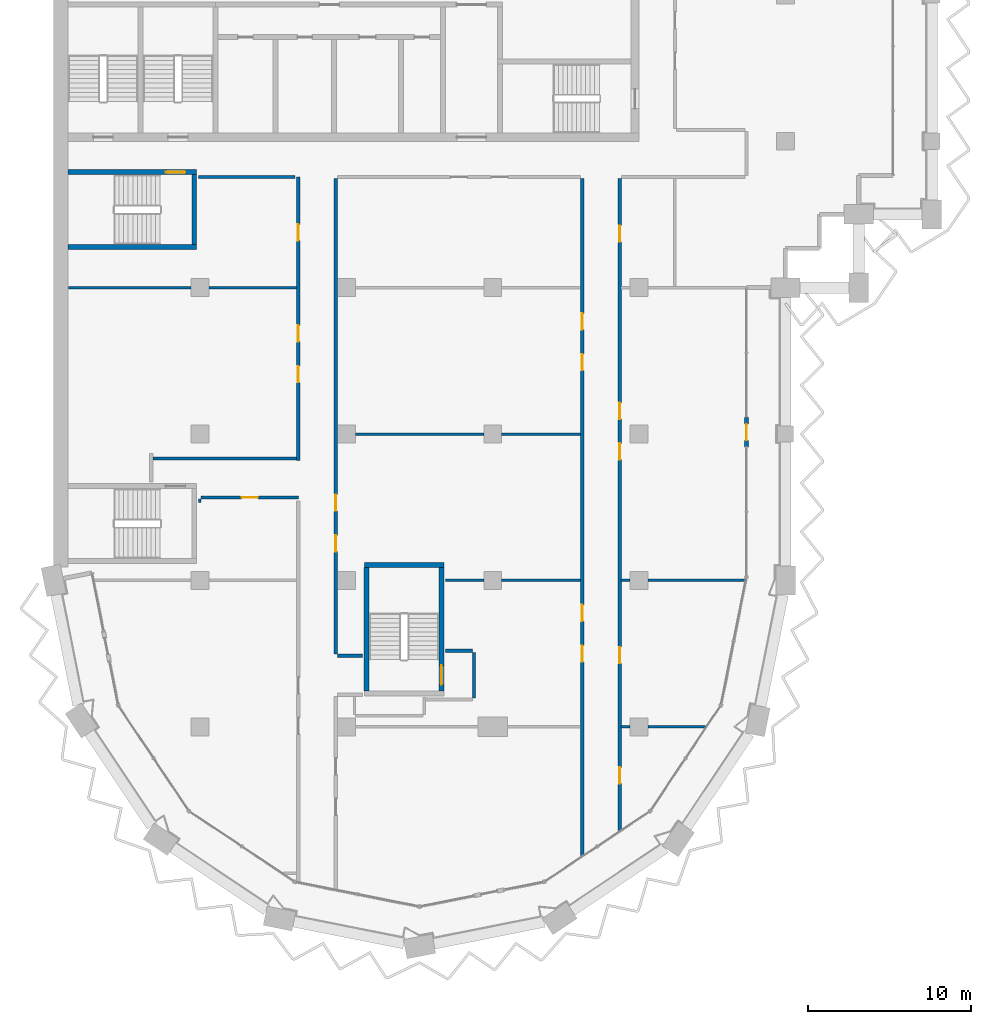
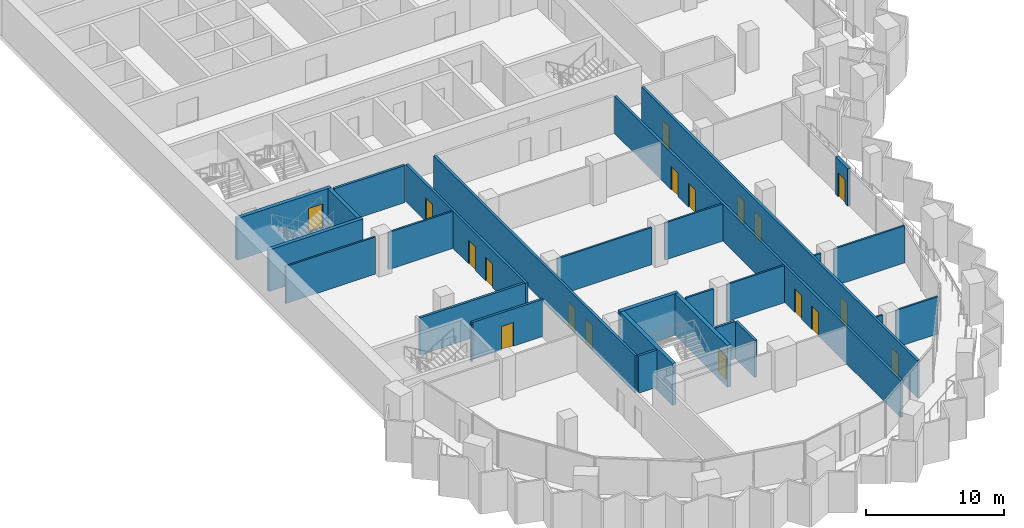
# One storey, part 8 of 17: 28 walls, 18 doors, 18 openings.
"""IFC4 building model written with IfcOpenShell, lengths in metres."""

from ifc_helpers import new_model, si_unit, direction, frame, frame_2d, origin, place, context, subcontext, project, spatial, rectangle, extrude, material, layer, layer_set, type_object, element, fill, save


model = new_model("IFC4")

# Units and contexts
model_context = context("Model", 3, precision=1e-05, world=origin(), true_north=direction((0.0, 1.0)))
body_context = subcontext(model_context, "Body", "Model", "MODEL_VIEW")
ifc_project = project(units=[si_unit("LENGTHUNIT", "METRE"), si_unit("AREAUNIT", "SQUARE_METRE"), si_unit("VOLUMEUNIT", "CUBIC_METRE"), si_unit("PLANEANGLEUNIT", "RADIAN"), si_unit("MASSUNIT", "GRAM", prefix="KILO")], contexts=[model_context])

# Site, building, storey
site_placement = place(None, origin())
site = spatial("IfcSite", under=ifc_project, at=site_placement, CompositionType="ELEMENT")
building_placement = place(site_placement, origin())
building = spatial("IfcBuilding", under=site, at=building_placement, Name="Hunhe Ridgeline Campus", CompositionType="ELEMENT")
storey_placement = place(building_placement, frame((0.0, 0.0, 186.5)))
storey = spatial("IfcBuildingStorey", under=building, at=storey_placement, Name="L47", CompositionType="ELEMENT", Elevation=186.5)

# Walls
ifc_material_1 = material(Name="Gypsum board partition")
ifc_layer_1 = layer(ifc_material_1, 0.199951171875)
ifc_layer_set_1 = layer_set([ifc_layer_1], Name="Corridor partition 200 gypsum board on steel studs")
wall_type_1 = type_object("IfcWallType", Name="Corridor partition 200 gypsum board on steel studs", PredefinedType="PARTITIONING", material=ifc_layer_set_1)
wall_1_placement = place(storey_placement, frame((17.449951171875, 31.375, 0.0), z_axis=(0.0, 0.0, 1.0), x_axis=(1.0, 0.0, 0.0)))
element("IfcWall", 1, at=wall_1_placement, inside=storey, type_object=wall_type_1, Name="F-L47-wall-009", PredefinedType="PARTITIONING", context=body_context, shape_type="SweptSolid", body=[
    extrude(rectangle(XDim=1.546142578125, YDim=0.199951171875, at=frame_2d((0.77294921875, 0.0))), origin(), (0.0, 0.0, 1.0), 3.300048828125),
])
wall_2_placement = place(storey_placement, frame((24.10400390625, 31.675048828125, 0.0), z_axis=(0.0, 0.0, 1.0), x_axis=(1.0, 0.0, 0.0)))
element("IfcWall", 2, at=wall_2_placement, inside=storey, type_object=wall_type_1, Name="F-L47-wall-010", PredefinedType="PARTITIONING", context=body_context, shape_type="SweptSolid", body=[
    extrude(rectangle(XDim=1.64599609375, YDim=0.199951171875, at=frame_2d((0.822998046875, 0.0))), origin(), (0.0, 0.0, 1.0), 3.300048828125),
])

# Wall, opening, door
wall_3_placement = place(storey_placement, frame((15.050048828125, 41.10009765625, 0.0), z_axis=(0.0, 0.0, 1.0), x_axis=(-1.0, 0.0, 0.0)))
wall_3 = element("IfcWall", 3, at=wall_3_placement, inside=storey, type_object=wall_type_1, Name="F-L47-wall-017", PredefinedType="PARTITIONING", context=body_context, shape_type="SweptSolid", body=[
    extrude(rectangle(XDim=5.97509765625, YDim=0.199951171875, at=frame_2d((2.987548828125, 0.0))), origin(), (0.0, 0.0, 1.0), 3.300048828125),
])
opening_1_placement = place(wall_3_placement, frame((2.487548828125, 0.0, 0.0)))
opening_1 = element("IfcOpeningElement", 4, at=opening_1_placement, cuts=wall_3, Name="Opening RD1-011", PredefinedType="OPENING", context=body_context, shape_type="SweptSolid", body=[
    extrude(rectangle(XDim=1.0, YDim=2.10009765625, at=frame_2d((0.5, 1.050048828125))), frame((0.0, 0.10009765625, 0.0), z_axis=(0.0, -1.0, 0.0), x_axis=(1.0, 0.0, 0.0)), (0.0, 0.0, 1.0), 0.199951171875),
])
ifc_material_2 = material(Name="Timber door leaf", Category="wood")
door_type_1 = type_object("IfcDoorType", Name="Single fire door 1000x2100 timber FD60", OperationType="NOTDEFINED", PredefinedType="DOOR", material=ifc_material_2)
door_1_placement = place(opening_1_placement, origin())
door_1 = element("IfcDoor", 5, at=door_1_placement, inside=storey, type_object=door_type_1, Name="F-L47-door-011", OperationType="SINGLE_SWING_LEFT", OverallHeight=2.10009765625, OverallWidth=1.0, PredefinedType="DOOR", context=body_context, shape_type="SweptSolid", body=[
    extrude(rectangle(XDim=1.0, YDim=2.10009765625, at=frame_2d((0.5, 1.050048828125))), frame((0.0, 0.02490234375, 0.0), z_axis=(0.0, -1.0, 0.0), x_axis=(1.0, 0.0, 0.0)), (0.0, 0.0, 1.0), 0.050048828125),
])
fill(opening_1, door_1)

# Walls
wall_4_placement = place(storey_placement, frame((6.10009765625, 43.5, 0.0), z_axis=(0.0, 0.0, 1.0), x_axis=(1.0, 0.0, 0.0)))
element("IfcWall", 6, at=wall_4_placement, inside=storey, type_object=wall_type_1, Name="F-L47-wall-018", PredefinedType="PARTITIONING", context=body_context, shape_type="SweptSolid", body=[
    extrude(rectangle(XDim=8.849853515625, YDim=0.199951171875, at=frame_2d((4.4248046875, 0.0))), origin(), (0.0, 0.0, 1.0), 3.300048828125),
])
wall_5_placement = place(storey_placement, frame((14.850341796875, 60.800048828125, 0.0), z_axis=(0.0, 0.0, 1.0), x_axis=(-1.0, 0.0, 0.0)))
element("IfcWall", 7, at=wall_5_placement, inside=storey, type_object=wall_type_1, Name="F-L47-wall-027", PredefinedType="PARTITIONING", context=body_context, shape_type="SweptSolid", body=[
    extrude(rectangle(XDim=5.9462890625, YDim=0.199951171875, at=frame_2d((2.97314453125, 0.0))), origin(), (0.0, 0.0, 1.0), 3.300048828125),
])

# Wall, openings, doors
wall_6_placement = place(storey_placement, frame((15.050048828125, 43.37451171875, 0.0), z_axis=(0.0, 0.0, 1.0), x_axis=(0.0, 1.0, 0.0)))
wall_6 = element("IfcWall", 8, at=wall_6_placement, inside=storey, type_object=wall_type_1, Name="F-L47-wall-038", PredefinedType="PARTITIONING", context=body_context, shape_type="SweptSolid", body=[
    extrude(rectangle(XDim=17.425537109375, YDim=0.199951171875, at=frame_2d((8.712890625, 0.0))), origin(), (0.0, 0.0, 1.0), 3.300048828125),
])
opening_2_placement = place(wall_6_placement, frame((4.803466796875, 0.0, 0.0)))
opening_2 = element("IfcOpeningElement", 9, at=opening_2_placement, cuts=wall_6, Name="Opening RD1-014", PredefinedType="OPENING", context=body_context, shape_type="SweptSolid", body=[
    extrude(rectangle(XDim=1.0, YDim=2.10009765625, at=frame_2d((0.5, 1.050048828125))), frame((0.0, 0.10009765625, 0.0), z_axis=(0.0, -1.0, 0.0), x_axis=(1.0, 0.0, 0.0)), (0.0, 0.0, 1.0), 0.199951171875),
])
opening_3_placement = place(wall_6_placement, frame((7.303466796875, 0.0, 0.0)))
opening_3 = element("IfcOpeningElement", 10, at=opening_3_placement, cuts=wall_6, Name="Opening RD1-016", PredefinedType="OPENING", context=body_context, shape_type="SweptSolid", body=[
    extrude(rectangle(XDim=1.0, YDim=2.10009765625, at=frame_2d((0.5, 1.050048828125))), frame((0.0, 0.10009765625, 0.0), z_axis=(0.0, -1.0, 0.0), x_axis=(1.0, 0.0, 0.0)), (0.0, 0.0, 1.0), 0.199951171875),
])
opening_4_placement = place(wall_6_placement, frame((13.51611328125, 0.0, 0.0)))
opening_4 = element("IfcOpeningElement", 11, at=opening_4_placement, cuts=wall_6, Name="Opening RD1-019", PredefinedType="OPENING", context=body_context, shape_type="SweptSolid", body=[
    extrude(rectangle(XDim=1.0, YDim=2.10009765625, at=frame_2d((0.5, 1.050048828125))), frame((0.0, 0.10009765625, 0.0), z_axis=(0.0, -1.0, 0.0), x_axis=(1.0, 0.0, 0.0)), (0.0, 0.0, 1.0), 0.199951171875),
])
door_2_placement = place(opening_2_placement, frame((1.0, 0.0, 0.0), z_axis=(0.0, 0.0, 1.0), x_axis=(-1.0, 0.0, 0.0)))
door_2 = element("IfcDoor", 12, at=door_2_placement, inside=storey, type_object=door_type_1, Name="F-L47-door-014", OperationType="SINGLE_SWING_RIGHT", OverallHeight=2.10009765625, OverallWidth=1.0, PredefinedType="DOOR", context=body_context, shape_type="SweptSolid", body=[
    extrude(rectangle(XDim=1.0, YDim=2.10009765625, at=frame_2d((0.5, 1.050048828125))), frame((0.0, 0.02490234375, 0.0), z_axis=(0.0, -1.0, 0.0), x_axis=(1.0, 0.0, 0.0)), (0.0, 0.0, 1.0), 0.050048828125),
])
fill(opening_2, door_2)
door_3_placement = place(opening_3_placement, frame((1.0, 0.0, 0.0), z_axis=(0.0, 0.0, 1.0), x_axis=(-1.0, 0.0, 0.0)))
door_3 = element("IfcDoor", 13, at=door_3_placement, inside=storey, type_object=door_type_1, Name="F-L47-door-016", OperationType="SINGLE_SWING_LEFT", OverallHeight=2.10009765625, OverallWidth=1.0, PredefinedType="DOOR", context=body_context, shape_type="SweptSolid", body=[
    extrude(rectangle(XDim=1.0, YDim=2.10009765625, at=frame_2d((0.5, 1.050048828125))), frame((0.0, 0.02490234375, 0.0), z_axis=(0.0, -1.0, 0.0), x_axis=(1.0, 0.0, 0.0)), (0.0, 0.0, 1.0), 0.050048828125),
])
fill(opening_3, door_3)
door_4_placement = place(opening_4_placement, origin())
door_4 = element("IfcDoor", 14, at=door_4_placement, inside=storey, type_object=door_type_1, Name="F-L47-door-019", OperationType="SINGLE_SWING_LEFT", OverallHeight=2.10009765625, OverallWidth=1.0, PredefinedType="DOOR", context=body_context, shape_type="SweptSolid", body=[
    extrude(rectangle(XDim=1.0, YDim=2.10009765625, at=frame_2d((0.5, 1.050048828125))), frame((0.0, 0.02490234375, 0.0), z_axis=(0.0, -1.0, 0.0), x_axis=(1.0, 0.0, 0.0)), (0.0, 0.0, 1.0), 0.050048828125),
])
fill(opening_4, door_4)

wall_7_placement = place(storey_placement, frame((17.35009765625, 60.699951171875, 0.0), z_axis=(0.0, 0.0, 1.0), x_axis=(0.0, -1.0, 0.0)))
wall_7 = element("IfcWall", 15, at=wall_7_placement, inside=storey, type_object=wall_type_1, Name="F-L47-wall-040", PredefinedType="PARTITIONING", context=body_context, shape_type="SweptSolid", body=[
    extrude(rectangle(XDim=29.224853515625, YDim=0.199951171875, at=frame_2d((14.6123046875, 0.0))), origin(), (0.0, 0.0, 1.0), 3.300048828125),
])
opening_5_placement = place(wall_7_placement, frame((21.922607421875, 0.0, 0.0)))
opening_5 = element("IfcOpeningElement", 16, at=opening_5_placement, cuts=wall_7, Name="Opening RD1-009", PredefinedType="OPENING", context=body_context, shape_type="SweptSolid", body=[
    extrude(rectangle(XDim=1.0, YDim=2.10009765625, at=frame_2d((0.5, 1.050048828125))), frame((0.0, 0.10009765625, 0.0), z_axis=(0.0, -1.0, 0.0), x_axis=(1.0, 0.0, 0.0)), (0.0, 0.0, 1.0), 0.199951171875),
])
opening_6_placement = place(wall_7_placement, frame((19.422607421875, 0.0, 0.0)))
opening_6 = element("IfcOpeningElement", 17, at=opening_6_placement, cuts=wall_7, Name="Opening RD1-010", PredefinedType="OPENING", context=body_context, shape_type="SweptSolid", body=[
    extrude(rectangle(XDim=1.0, YDim=2.10009765625, at=frame_2d((0.5, 1.050048828125))), frame((0.0, 0.10009765625, 0.0), z_axis=(0.0, -1.0, 0.0), x_axis=(1.0, 0.0, 0.0)), (0.0, 0.0, 1.0), 0.199951171875),
])
door_5_placement = place(opening_5_placement, frame((1.0, 0.0, 0.0), z_axis=(0.0, 0.0, 1.0), x_axis=(-1.0, 0.0, 0.0)))
door_5 = element("IfcDoor", 18, at=door_5_placement, inside=storey, type_object=door_type_1, Name="F-L47-door-009", OperationType="SINGLE_SWING_LEFT", OverallHeight=2.10009765625, OverallWidth=1.0, PredefinedType="DOOR", context=body_context, shape_type="SweptSolid", body=[
    extrude(rectangle(XDim=1.0, YDim=2.10009765625, at=frame_2d((0.5, 1.050048828125))), frame((0.0, 0.02490234375, 0.0), z_axis=(0.0, -1.0, 0.0), x_axis=(1.0, 0.0, 0.0)), (0.0, 0.0, 1.0), 0.050048828125),
])
fill(opening_5, door_5)
door_6_placement = place(opening_6_placement, frame((1.0, 0.0, 0.0), z_axis=(0.0, 0.0, 1.0), x_axis=(-1.0, 0.0, 0.0)))
door_6 = element("IfcDoor", 19, at=door_6_placement, inside=storey, type_object=door_type_1, Name="F-L47-door-010", OperationType="SINGLE_SWING_RIGHT", OverallHeight=2.10009765625, OverallWidth=1.0, PredefinedType="DOOR", context=body_context, shape_type="SweptSolid", body=[
    extrude(rectangle(XDim=1.0, YDim=2.10009765625, at=frame_2d((0.5, 1.050048828125))), frame((0.0, 0.02490234375, 0.0), z_axis=(0.0, -1.0, 0.0), x_axis=(1.0, 0.0, 0.0)), (0.0, 0.0, 1.0), 0.050048828125),
])
fill(opening_6, door_6)

# Wall
wall_8_placement = place(storey_placement, frame((25.85009765625, 31.574951171875, 0.0), z_axis=(0.0, 0.0, 1.0), x_axis=(0.0, -1.0, 0.0)))
element("IfcWall", 20, at=wall_8_placement, inside=storey, type_object=wall_type_1, Name="F-L47-wall-043", PredefinedType="PARTITIONING", context=body_context, shape_type="SweptSolid", body=[
    extrude(rectangle(XDim=2.800048828125, YDim=0.199951171875, at=frame_2d((1.39990234375, 0.0))), origin(), (0.0, 0.0, 1.0), 3.300048828125),
])

# Wall, openings, doors
wall_9_placement = place(storey_placement, frame((32.5, 19.09375, 0.0), z_axis=(0.0, 0.0, 1.0), x_axis=(0.0, 1.0, 0.0)))
wall_9 = element("IfcWall", 21, at=wall_9_placement, inside=storey, type_object=wall_type_1, Name="F-L47-wall-044", PredefinedType="PARTITIONING", context=body_context, shape_type="SweptSolid", body=[
    extrude(rectangle(XDim=41.606201171875, YDim=0.199951171875, at=frame_2d((20.80322265625, 0.0))), origin(), (0.0, 0.0, 1.0), 3.300048828125),
])
opening_7_placement = place(wall_9_placement, frame((11.90673828125, 0.0, 0.0)))
opening_7 = element("IfcOpeningElement", 22, at=opening_7_placement, cuts=wall_9, Name="Opening RD1-007", PredefinedType="OPENING", context=body_context, shape_type="SweptSolid", body=[
    extrude(rectangle(XDim=1.0, YDim=2.10009765625, at=frame_2d((0.5, 1.050048828125))), frame((0.0, 0.10009765625, 0.0), z_axis=(0.0, -1.0, 0.0), x_axis=(1.0, 0.0, 0.0)), (0.0, 0.0, 1.0), 0.199951171875),
])
opening_8_placement = place(wall_9_placement, frame((14.40673828125, 0.0, 0.0)))
opening_8 = element("IfcOpeningElement", 23, at=opening_8_placement, cuts=wall_9, Name="Opening RD1-008", PredefinedType="OPENING", context=body_context, shape_type="SweptSolid", body=[
    extrude(rectangle(XDim=1.0, YDim=2.10009765625, at=frame_2d((0.5, 1.050048828125))), frame((0.0, 0.10009765625, 0.0), z_axis=(0.0, -1.0, 0.0), x_axis=(1.0, 0.0, 0.0)), (0.0, 0.0, 1.0), 0.199951171875),
])
opening_9_placement = place(wall_9_placement, frame((29.827392578125, 0.0, 0.0)))
opening_9 = element("IfcOpeningElement", 24, at=opening_9_placement, cuts=wall_9, Name="Opening RD1-015", PredefinedType="OPENING", context=body_context, shape_type="SweptSolid", body=[
    extrude(rectangle(XDim=1.0, YDim=2.10009765625, at=frame_2d((0.5, 1.050048828125))), frame((0.0, 0.10009765625, 0.0), z_axis=(0.0, -1.0, 0.0), x_axis=(1.0, 0.0, 0.0)), (0.0, 0.0, 1.0), 0.199951171875),
])
opening_10_placement = place(wall_9_placement, frame((32.327392578125, 0.0, 0.0)))
opening_10 = element("IfcOpeningElement", 25, at=opening_10_placement, cuts=wall_9, Name="Opening RD1-017", PredefinedType="OPENING", context=body_context, shape_type="SweptSolid", body=[
    extrude(rectangle(XDim=1.0, YDim=2.10009765625, at=frame_2d((0.5, 1.050048828125))), frame((0.0, 0.10009765625, 0.0), z_axis=(0.0, -1.0, 0.0), x_axis=(1.0, 0.0, 0.0)), (0.0, 0.0, 1.0), 0.199951171875),
])
door_7_placement = place(opening_7_placement, frame((1.0, 0.0, 0.0), z_axis=(0.0, 0.0, 1.0), x_axis=(-1.0, 0.0, 0.0)))
door_7 = element("IfcDoor", 26, at=door_7_placement, inside=storey, type_object=door_type_1, Name="F-L47-door-007", OperationType="SINGLE_SWING_LEFT", OverallHeight=2.10009765625, OverallWidth=1.0, PredefinedType="DOOR", context=body_context, shape_type="SweptSolid", body=[
    extrude(rectangle(XDim=1.0, YDim=2.10009765625, at=frame_2d((0.5, 1.050048828125))), frame((0.0, 0.02490234375, 0.0), z_axis=(0.0, -1.0, 0.0), x_axis=(1.0, 0.0, 0.0)), (0.0, 0.0, 1.0), 0.050048828125),
])
fill(opening_7, door_7)
door_8_placement = place(opening_8_placement, frame((1.0, 0.0, 0.0), z_axis=(0.0, 0.0, 1.0), x_axis=(-1.0, 0.0, 0.0)))
door_8 = element("IfcDoor", 27, at=door_8_placement, inside=storey, type_object=door_type_1, Name="F-L47-door-008", OperationType="SINGLE_SWING_LEFT", OverallHeight=2.10009765625, OverallWidth=1.0, PredefinedType="DOOR", context=body_context, shape_type="SweptSolid", body=[
    extrude(rectangle(XDim=1.0, YDim=2.10009765625, at=frame_2d((0.5, 1.050048828125))), frame((0.0, 0.02490234375, 0.0), z_axis=(0.0, -1.0, 0.0), x_axis=(1.0, 0.0, 0.0)), (0.0, 0.0, 1.0), 0.050048828125),
])
fill(opening_8, door_8)
door_9_placement = place(opening_9_placement, frame((1.0, 0.0, 0.0), z_axis=(0.0, 0.0, 1.0), x_axis=(-1.0, 0.0, 0.0)))
door_9 = element("IfcDoor", 28, at=door_9_placement, inside=storey, type_object=door_type_1, Name="F-L47-door-015", OperationType="SINGLE_SWING_LEFT", OverallHeight=2.10009765625, OverallWidth=1.0, PredefinedType="DOOR", context=body_context, shape_type="SweptSolid", body=[
    extrude(rectangle(XDim=1.0, YDim=2.10009765625, at=frame_2d((0.5, 1.050048828125))), frame((0.0, 0.02490234375, 0.0), z_axis=(0.0, -1.0, 0.0), x_axis=(1.0, 0.0, 0.0)), (0.0, 0.0, 1.0), 0.050048828125),
])
fill(opening_9, door_9)
door_10_placement = place(opening_10_placement, frame((1.0, 0.0, 0.0), z_axis=(0.0, 0.0, 1.0), x_axis=(-1.0, 0.0, 0.0)))
door_10 = element("IfcDoor", 29, at=door_10_placement, inside=storey, type_object=door_type_1, Name="F-L47-door-017", OperationType="SINGLE_SWING_LEFT", OverallHeight=2.10009765625, OverallWidth=1.0, PredefinedType="DOOR", context=body_context, shape_type="SweptSolid", body=[
    extrude(rectangle(XDim=1.0, YDim=2.10009765625, at=frame_2d((0.5, 1.050048828125))), frame((0.0, 0.02490234375, 0.0), z_axis=(0.0, -1.0, 0.0), x_axis=(1.0, 0.0, 0.0)), (0.0, 0.0, 1.0), 0.050048828125),
])
fill(opening_10, door_10)

wall_10_placement = place(storey_placement, frame((34.800048828125, 60.699951171875, 0.0), z_axis=(0.0, 0.0, 1.0), x_axis=(0.0, -1.0, 0.0)))
wall_10 = element("IfcWall", 30, at=wall_10_placement, inside=storey, type_object=wall_type_1, Name="F-L47-wall-045", PredefinedType="PARTITIONING", context=body_context, shape_type="SweptSolid", body=[
    extrude(rectangle(XDim=40.0693359375, YDim=0.199951171875, at=frame_2d((20.03466796875, 0.0))), origin(), (0.0, 0.0, 1.0), 3.300048828125),
])
opening_11_placement = place(wall_10_placement, frame((36.1884765625, 0.0, 0.0)))
opening_11 = element("IfcOpeningElement", 31, at=opening_11_placement, cuts=wall_10, Name="Opening RD1-002", PredefinedType="OPENING", context=body_context, shape_type="SweptSolid", body=[
    extrude(rectangle(XDim=1.0, YDim=2.10009765625, at=frame_2d((0.5, 1.050048828125))), frame((0.0, 0.10009765625, 0.0), z_axis=(0.0, -1.0, 0.0), x_axis=(1.0, 0.0, 0.0)), (0.0, 0.0, 1.0), 0.199951171875),
])
opening_12_placement = place(wall_10_placement, frame((28.80078125, 0.0, 0.0)))
opening_12 = element("IfcOpeningElement", 32, at=opening_12_placement, cuts=wall_10, Name="Opening RD1-006", PredefinedType="OPENING", context=body_context, shape_type="SweptSolid", body=[
    extrude(rectangle(XDim=1.0, YDim=2.10009765625, at=frame_2d((0.5, 1.050048828125))), frame((0.0, 0.10009765625, 0.0), z_axis=(0.0, -1.0, 0.0), x_axis=(1.0, 0.0, 0.0)), (0.0, 0.0, 1.0), 0.199951171875),
])
opening_13_placement = place(wall_10_placement, frame((16.27734375, 0.0, 0.0)))
opening_13 = element("IfcOpeningElement", 33, at=opening_13_placement, cuts=wall_10, Name="Opening RD1-012", PredefinedType="OPENING", context=body_context, shape_type="SweptSolid", body=[
    extrude(rectangle(XDim=1.0, YDim=2.10009765625, at=frame_2d((0.5, 1.050048828125))), frame((0.0, 0.10009765625, 0.0), z_axis=(0.0, -1.0, 0.0), x_axis=(1.0, 0.0, 0.0)), (0.0, 0.0, 1.0), 0.199951171875),
])
opening_14_placement = place(wall_10_placement, frame((13.77734375, 0.0, 0.0)))
opening_14 = element("IfcOpeningElement", 34, at=opening_14_placement, cuts=wall_10, Name="Opening RD1-013", PredefinedType="OPENING", context=body_context, shape_type="SweptSolid", body=[
    extrude(rectangle(XDim=1.0, YDim=2.10009765625, at=frame_2d((0.5, 1.050048828125))), frame((0.0, 0.10009765625, 0.0), z_axis=(0.0, -1.0, 0.0), x_axis=(1.0, 0.0, 0.0)), (0.0, 0.0, 1.0), 0.199951171875),
])
opening_15_placement = place(wall_10_placement, frame((2.880859375, 0.0, 0.0)))
opening_15 = element("IfcOpeningElement", 35, at=opening_15_placement, cuts=wall_10, Name="Opening RD1-018", PredefinedType="OPENING", context=body_context, shape_type="SweptSolid", body=[
    extrude(rectangle(XDim=1.0, YDim=2.10009765625, at=frame_2d((0.5, 1.050048828125))), frame((0.0, 0.10009765625, 0.0), z_axis=(0.0, -1.0, 0.0), x_axis=(1.0, 0.0, 0.0)), (0.0, 0.0, 1.0), 0.199951171875),
])
door_11_placement = place(opening_11_placement, origin())
door_11 = element("IfcDoor", 36, at=door_11_placement, inside=storey, type_object=door_type_1, Name="F-L47-door-002", OperationType="SINGLE_SWING_LEFT", OverallHeight=2.10009765625, OverallWidth=1.0, PredefinedType="DOOR", context=body_context, shape_type="SweptSolid", body=[
    extrude(rectangle(XDim=1.0, YDim=2.10009765625, at=frame_2d((0.5, 1.050048828125))), frame((0.0, 0.02490234375, 0.0), z_axis=(0.0, -1.0, 0.0), x_axis=(1.0, 0.0, 0.0)), (0.0, 0.0, 1.0), 0.050048828125),
])
fill(opening_11, door_11)
door_12_placement = place(opening_12_placement, origin())
door_12 = element("IfcDoor", 37, at=door_12_placement, inside=storey, type_object=door_type_1, Name="F-L47-door-006", OperationType="SINGLE_SWING_LEFT", OverallHeight=2.10009765625, OverallWidth=1.0, PredefinedType="DOOR", context=body_context, shape_type="SweptSolid", body=[
    extrude(rectangle(XDim=1.0, YDim=2.10009765625, at=frame_2d((0.5, 1.050048828125))), frame((0.0, 0.02490234375, 0.0), z_axis=(0.0, -1.0, 0.0), x_axis=(1.0, 0.0, 0.0)), (0.0, 0.0, 1.0), 0.050048828125),
])
fill(opening_12, door_12)
door_13_placement = place(opening_13_placement, frame((1.0, 0.0, 0.0), z_axis=(0.0, 0.0, 1.0), x_axis=(-1.0, 0.0, 0.0)))
door_13 = element("IfcDoor", 38, at=door_13_placement, inside=storey, type_object=door_type_1, Name="F-L47-door-012", OperationType="SINGLE_SWING_LEFT", OverallHeight=2.10009765625, OverallWidth=1.0, PredefinedType="DOOR", context=body_context, shape_type="SweptSolid", body=[
    extrude(rectangle(XDim=1.0, YDim=2.10009765625, at=frame_2d((0.5, 1.050048828125))), frame((0.0, 0.02490234375, 0.0), z_axis=(0.0, -1.0, 0.0), x_axis=(1.0, 0.0, 0.0)), (0.0, 0.0, 1.0), 0.050048828125),
])
fill(opening_13, door_13)
door_14_placement = place(opening_14_placement, frame((1.0, 0.0, 0.0), z_axis=(0.0, 0.0, 1.0), x_axis=(-1.0, 0.0, 0.0)))
door_14 = element("IfcDoor", 39, at=door_14_placement, inside=storey, type_object=door_type_1, Name="F-L47-door-013", OperationType="SINGLE_SWING_RIGHT", OverallHeight=2.10009765625, OverallWidth=1.0, PredefinedType="DOOR", context=body_context, shape_type="SweptSolid", body=[
    extrude(rectangle(XDim=1.0, YDim=2.10009765625, at=frame_2d((0.5, 1.050048828125))), frame((0.0, 0.02490234375, 0.0), z_axis=(0.0, -1.0, 0.0), x_axis=(1.0, 0.0, 0.0)), (0.0, 0.0, 1.0), 0.050048828125),
])
fill(opening_14, door_14)
door_15_placement = place(opening_15_placement, origin())
door_15 = element("IfcDoor", 40, at=door_15_placement, inside=storey, type_object=door_type_1, Name="F-L47-door-018", OperationType="SINGLE_SWING_LEFT", OverallHeight=2.10009765625, OverallWidth=1.0, PredefinedType="DOOR", context=body_context, shape_type="SweptSolid", body=[
    extrude(rectangle(XDim=1.0, YDim=2.10009765625, at=frame_2d((0.5, 1.050048828125))), frame((0.0, 0.02490234375, 0.0), z_axis=(0.0, -1.0, 0.0), x_axis=(1.0, 0.0, 0.0)), (0.0, 0.0, 1.0), 0.050048828125),
])
fill(opening_15, door_15)

# Wall, opening, door
ifc_material_3 = material(Name="Concrete C30", Category="concrete")
ifc_layer_2 = layer(ifc_material_3, 0.25)
ifc_layer_set_2 = layer_set([ifc_layer_2], Name="Loggia door pier wall 250 Concrete C30")
wall_type_2 = type_object("IfcWallType", Name="Loggia door pier wall 250 Concrete C30", PredefinedType="SOLIDWALL", material=ifc_layer_set_2)
wall_11_placement = place(storey_placement, frame((42.59912109375, 44.218505859375, 0.0), z_axis=(0.0, 0.0, 1.0), x_axis=(0.0, 1.0, 0.0)))
wall_11 = element("IfcWall", 41, at=wall_11_placement, inside=storey, type_object=wall_type_2, Name="Loggia door pier 3", PredefinedType="SOLIDWALL", context=body_context, shape_type="SweptSolid", body=[
    extrude(rectangle(XDim=1.800048828125, YDim=0.25, at=frame_2d((0.89990234375, 0.0))), origin(), (0.0, 0.0, 1.0), 3.300048828125),
])
opening_16_placement = place(wall_11_placement, frame((0.39990234375, 0.0, 0.0)))
opening_16 = element("IfcOpeningElement", 42, at=opening_16_placement, cuts=wall_11, Name="Opening BD405", PredefinedType="OPENING", context=body_context, shape_type="SweptSolid", body=[
    extrude(rectangle(XDim=1.0, YDim=2.10009765625, at=frame_2d((0.5, 1.050048828125))), frame((0.0, 0.125, 0.0), z_axis=(0.0, -1.0, 0.0), x_axis=(1.0, 0.0, 0.0)), (0.0, 0.0, 1.0), 0.25),
])
ifc_material_4 = material(Name="Aluminium 6063", Category="aluminium")
door_type_2 = type_object("IfcDoorType", Name="Loggia glazed door 1000x2100", OperationType="NOTDEFINED", PredefinedType="DOOR", material=ifc_material_4)
door_16_placement = place(opening_16_placement, frame((1.0, 0.0, 0.0), z_axis=(0.0, 0.0, 1.0), x_axis=(-1.0, 0.0, 0.0)))
door_16 = element("IfcDoor", 43, at=door_16_placement, inside=storey, type_object=door_type_2, Name="Loggia door BD405", OperationType="SINGLE_SWING_RIGHT", OverallHeight=2.10009765625, OverallWidth=1.0, PredefinedType="DOOR", context=body_context, shape_type="SweptSolid", body=[
    extrude(rectangle(XDim=1.0, YDim=2.10009765625, at=frame_2d((0.5, 1.050048828125))), frame((0.0, 0.02490234375, 0.0), z_axis=(0.0, -1.0, 0.0), x_axis=(1.0, 0.0, 0.0)), (0.0, 0.0, 1.0), 0.050048828125),
])
fill(opening_16, door_16)

# Walls
ifc_layer_3 = layer(ifc_material_1, 0.14990234375)
ifc_layer_set_3 = layer_set([ifc_layer_3], Name="Room partition 150 gypsum board on steel studs")
wall_type_3 = type_object("IfcWallType", Name="Room partition 150 gypsum board on steel studs", PredefinedType="PARTITIONING", material=ifc_layer_set_3)
wall_12_placement = place(storey_placement, frame((34.89990234375, 27.0, 0.0), z_axis=(0.0, 0.0, 1.0), x_axis=(1.0, 0.0, 0.0)))
element("IfcWall", 44, at=wall_12_placement, inside=storey, type_object=wall_type_3, Name="F-L47-wall-004", PredefinedType="PARTITIONING", context=body_context, shape_type="SweptSolid", body=[
    extrude(rectangle(XDim=0.550048828125, YDim=0.14990234375, at=frame_2d((0.27490234375, 0.0))), origin(), (0.0, 0.0, 1.0), 3.300048828125),
])
wall_13_placement = place(storey_placement, frame((36.550048828125, 27.0, 0.0), z_axis=(0.0, 0.0, 1.0), x_axis=(1.0, 0.0, 0.0)))
element("IfcWall", 45, at=wall_13_placement, inside=storey, type_object=wall_type_3, Name="F-L47-wall-005", PredefinedType="PARTITIONING", context=body_context, shape_type="SweptSolid", body=[
    extrude(rectangle(XDim=3.5244140625, YDim=0.14990234375, at=frame_2d((1.76220703125, 0.0))), origin(), (0.0, 0.0, 1.0), 3.300048828125),
])
wall_14_placement = place(storey_placement, frame((24.10400390625, 36.0, 0.0), z_axis=(0.0, 0.0, 1.0), x_axis=(1.0, 0.0, 0.0)))
element("IfcWall", 46, at=wall_14_placement, inside=storey, type_object=wall_type_3, Name="F-L47-wall-013", PredefinedType="PARTITIONING", context=body_context, shape_type="SweptSolid", body=[
    extrude(rectangle(XDim=2.345947265625, YDim=0.14990234375, at=frame_2d((1.1728515625, 0.0))), origin(), (0.0, 0.0, 1.0), 3.300048828125),
])
wall_15_placement = place(storey_placement, frame((27.550048828125, 36.0, 0.0), z_axis=(0.0, 0.0, 1.0), x_axis=(1.0, 0.0, 0.0)))
element("IfcWall", 47, at=wall_15_placement, inside=storey, type_object=wall_type_3, Name="F-L47-wall-014", PredefinedType="PARTITIONING", context=body_context, shape_type="SweptSolid", body=[
    extrude(rectangle(XDim=4.849853515625, YDim=0.14990234375, at=frame_2d((2.4248046875, 0.0))), origin(), (0.0, 0.0, 1.0), 3.300048828125),
])
wall_16_placement = place(storey_placement, frame((34.89990234375, 36.0, 0.0), z_axis=(0.0, 0.0, 1.0), x_axis=(1.0, 0.0, 0.0)))
element("IfcWall", 48, at=wall_16_placement, inside=storey, type_object=wall_type_3, Name="F-L47-wall-015", PredefinedType="PARTITIONING", context=body_context, shape_type="SweptSolid", body=[
    extrude(rectangle(XDim=0.550048828125, YDim=0.14990234375, at=frame_2d((0.27490234375, 0.0))), origin(), (0.0, 0.0, 1.0), 3.300048828125),
])
wall_17_placement = place(storey_placement, frame((36.550048828125, 36.0, 0.0), z_axis=(0.0, 0.0, 1.0), x_axis=(1.0, 0.0, 0.0)))
element("IfcWall", 49, at=wall_17_placement, inside=storey, type_object=wall_type_3, Name="F-L47-wall-016", PredefinedType="PARTITIONING", context=body_context, shape_type="SweptSolid", body=[
    extrude(rectangle(XDim=5.94677734375, YDim=0.14990234375, at=frame_2d((2.973388671875, 0.0))), origin(), (0.0, 0.0, 1.0), 3.300048828125),
])
wall_18_placement = place(storey_placement, frame((18.550048828125, 45.0, 0.0), z_axis=(0.0, 0.0, 1.0), x_axis=(1.0, 0.0, 0.0)))
element("IfcWall", 50, at=wall_18_placement, inside=storey, type_object=wall_type_3, Name="F-L47-wall-019", PredefinedType="PARTITIONING", context=body_context, shape_type="SweptSolid", body=[
    extrude(rectangle(XDim=7.89990234375, YDim=0.14990234375, at=frame_2d((3.949951171875, 0.0))), origin(), (0.0, 0.0, 1.0), 3.300048828125),
])
wall_19_placement = place(storey_placement, frame((27.550048828125, 45.0, 0.0), z_axis=(0.0, 0.0, 1.0), x_axis=(1.0, 0.0, 0.0)))
element("IfcWall", 51, at=wall_19_placement, inside=storey, type_object=wall_type_3, Name="F-L47-wall-020", PredefinedType="PARTITIONING", context=body_context, shape_type="SweptSolid", body=[
    extrude(rectangle(XDim=4.849853515625, YDim=0.14990234375, at=frame_2d((2.4248046875, 0.0))), origin(), (0.0, 0.0, 1.0), 3.300048828125),
])
wall_20_placement = place(storey_placement, frame((0.919921875, 54.0, 0.0), z_axis=(0.0, 0.0, 1.0), x_axis=(1.0, 0.0, 0.0)))
element("IfcWall", 52, at=wall_20_placement, inside=storey, type_object=wall_type_3, Name="F-L47-wall-021", PredefinedType="PARTITIONING", context=body_context, shape_type="SweptSolid", body=[
    extrude(rectangle(XDim=7.530029296875, YDim=0.14990234375, at=frame_2d((3.76513671875, 0.0))), origin(), (0.0, 0.0, 1.0), 3.300048828125),
])
wall_21_placement = place(storey_placement, frame((9.550048828125, 54.0, 0.0), z_axis=(0.0, 0.0, 1.0), x_axis=(1.0, 0.0, 0.0)))
element("IfcWall", 53, at=wall_21_placement, inside=storey, type_object=wall_type_3, Name="F-L47-wall-022", PredefinedType="PARTITIONING", context=body_context, shape_type="SweptSolid", body=[
    extrude(rectangle(XDim=5.39990234375, YDim=0.14990234375, at=frame_2d((2.699951171875, 0.0))), origin(), (0.0, 0.0, 1.0), 3.300048828125),
])
wall_22_placement = place(storey_placement, frame((9.0, 41.0, 0.0), z_axis=(0.0, 0.0, 1.0), x_axis=(0.0, -1.0, 0.0)))
element("IfcWall", 54, at=wall_22_placement, inside=storey, type_object=wall_type_3, Name="F-L47-wall-036", PredefinedType="PARTITIONING", context=body_context, shape_type="SweptSolid", body=[
    extrude(rectangle(XDim=0.199951171875, YDim=0.14990234375, at=frame_2d((0.10009765625, 0.0))), origin(), (0.0, 0.0, 1.0), 3.300048828125),
])
ifc_material_5 = material(Name="Concrete C60", Category="concrete")
ifc_layer_4 = layer(ifc_material_5, 0.300048828125)
ifc_layer_set_4 = layer_set([ifc_layer_4], Name="Stair wall 300 reinforced concrete C60")
wall_type_4 = type_object("IfcWallType", Name="Stair wall 300 reinforced concrete C60", PredefinedType="SOLIDWALL", material=ifc_layer_set_4)
wall_23_placement = place(storey_placement, frame((19.10009765625, 36.949951171875, -0.39990234375), z_axis=(0.0, 0.0, 1.0), x_axis=(1.0, 0.0, 0.0)))
element("IfcWall", 55, at=wall_23_placement, inside=storey, type_object=wall_type_4, Name="L47 core wall 2", PredefinedType="SOLIDWALL", context=body_context, shape_type="SweptSolid", body=[
    extrude(rectangle(XDim=4.89990234375, YDim=0.300048828125, at=frame_2d((2.449951171875, 0.0))), origin(), (0.0, 0.0, 1.0), 3.699951171875),
])
wall_24_placement = place(storey_placement, frame((0.89990234375, 56.5, -0.39990234375), z_axis=(0.0, 0.0, 1.0), x_axis=(1.0, 0.0, 0.0)))
element("IfcWall", 56, at=wall_24_placement, inside=storey, type_object=wall_type_4, Name="L47 core wall 5", PredefinedType="SOLIDWALL", context=body_context, shape_type="SweptSolid", body=[
    extrude(rectangle(XDim=7.900146484375, YDim=0.300048828125, at=frame_2d((3.9501953125, 0.0))), origin(), (0.0, 0.0, 1.0), 3.699951171875),
])

# Wall, opening, door
wall_25_placement = place(storey_placement, frame((0.89990234375, 61.10009765625, -0.39990234375), z_axis=(0.0, 0.0, 1.0), x_axis=(1.0, 0.0, 0.0)))
wall_25 = element("IfcWall", 57, at=wall_25_placement, inside=storey, type_object=wall_type_4, Name="L47 core wall 6", PredefinedType="SOLIDWALL", context=body_context, shape_type="SweptSolid", body=[
    extrude(rectangle(XDim=7.900146484375, YDim=0.300048828125, at=frame_2d((3.9501953125, 0.0))), origin(), (0.0, 0.0, 1.0), 3.699951171875),
])
opening_17_placement = place(wall_25_placement, frame((6.0, 0.0, 0.39990234375)))
opening_17 = element("IfcOpeningElement", 58, at=opening_17_placement, cuts=wall_25, Name="Opening CD22", PredefinedType="OPENING", context=body_context, shape_type="SweptSolid", body=[
    extrude(rectangle(XDim=1.199951171875, YDim=2.10009765625, at=frame_2d((0.60009765625, 1.050048828125))), frame((0.0, 0.14990234375, 0.0), z_axis=(0.0, -1.0, 0.0), x_axis=(1.0, 0.0, 0.0)), (0.0, 0.0, 1.0), 0.300048828125),
])
ifc_material_6 = material(Name="Hollow metal fire door leaf")
door_type_3 = type_object("IfcDoorType", Name="Stair door 1200x2100 FD60", OperationType="SINGLE_SWING_LEFT", PredefinedType="DOOR", material=ifc_material_6)
door_17_placement = place(opening_17_placement, origin())
door_17 = element("IfcDoor", 59, at=door_17_placement, inside=storey, type_object=door_type_3, Name="L47 door W2", OperationType="SINGLE_SWING_RIGHT", OverallHeight=2.10009765625, OverallWidth=1.199951171875, PredefinedType="DOOR", context=body_context, shape_type="SweptSolid", body=[
    extrude(rectangle(XDim=1.199951171875, YDim=2.10009765625, at=frame_2d((0.60009765625, 1.050048828125))), frame((0.0, 0.02490234375, 0.0), z_axis=(0.0, -1.0, 0.0), x_axis=(1.0, 0.0, 0.0)), (0.0, 0.0, 1.0), 0.050048828125),
])
fill(opening_17, door_17)

# Walls
wall_26_placement = place(storey_placement, frame((8.64990234375, 56.64990234375, -0.39990234375), z_axis=(0.0, 0.0, 1.0), x_axis=(0.0, 1.0, 0.0)))
element("IfcWall", 60, at=wall_26_placement, inside=storey, type_object=wall_type_4, Name="L47 core wall 34", PredefinedType="SOLIDWALL", context=body_context, shape_type="SweptSolid", body=[
    extrude(rectangle(XDim=4.300048828125, YDim=0.300048828125, at=frame_2d((2.14990234375, 0.0))), origin(), (0.0, 0.0, 1.0), 3.699951171875),
])
wall_27_placement = place(storey_placement, frame((19.25, 29.199951171875, -0.39990234375), z_axis=(0.0, 0.0, 1.0), x_axis=(0.0, 1.0, 0.0)))
element("IfcWall", 61, at=wall_27_placement, inside=storey, type_object=wall_type_4, Name="L47 core wall 43", PredefinedType="SOLIDWALL", context=body_context, shape_type="SweptSolid", body=[
    extrude(rectangle(XDim=7.60009765625, YDim=0.300048828125, at=frame_2d((3.800048828125, 0.0))), origin(), (0.0, 0.0, 1.0), 3.699951171875),
])

# Wall, opening, door
wall_28_placement = place(storey_placement, frame((23.85009765625, 29.199951171875, -0.39990234375), z_axis=(0.0, 0.0, 1.0), x_axis=(0.0, 1.0, 0.0)))
wall_28 = element("IfcWall", 62, at=wall_28_placement, inside=storey, type_object=wall_type_4, Name="L47 core wall 47", PredefinedType="SOLIDWALL", context=body_context, shape_type="SweptSolid", body=[
    extrude(rectangle(XDim=7.60009765625, YDim=0.300048828125, at=frame_2d((3.800048828125, 0.0))), origin(), (0.0, 0.0, 1.0), 3.699951171875),
])
opening_18_placement = place(wall_28_placement, frame((0.375, 0.0, 0.39990234375)))
opening_18 = element("IfcOpeningElement", 63, at=opening_18_placement, cuts=wall_28, Name="Opening CD23", PredefinedType="OPENING", context=body_context, shape_type="SweptSolid", body=[
    extrude(rectangle(XDim=1.199951171875, YDim=2.10009765625, at=frame_2d((0.60009765625, 1.050048828125))), frame((0.0, 0.14990234375, 0.0), z_axis=(0.0, -1.0, 0.0), x_axis=(1.0, 0.0, 0.0)), (0.0, 0.0, 1.0), 0.300048828125),
])
door_18_placement = place(opening_18_placement, frame((1.199951171875, 0.0, 0.0), z_axis=(0.0, 0.0, 1.0), x_axis=(-1.0, 0.0, 0.0)))
door_18 = element("IfcDoor", 64, at=door_18_placement, inside=storey, type_object=door_type_3, Name="L47 door W3", OperationType="SINGLE_SWING_RIGHT", OverallHeight=2.10009765625, OverallWidth=1.199951171875, PredefinedType="DOOR", context=body_context, shape_type="SweptSolid", body=[
    extrude(rectangle(XDim=1.199951171875, YDim=2.10009765625, at=frame_2d((0.60009765625, 1.050048828125))), frame((0.0, 0.02490234375, 0.0), z_axis=(0.0, -1.0, 0.0), x_axis=(1.0, 0.0, 0.0)), (0.0, 0.0, 1.0), 0.050048828125),
])
fill(opening_18, door_18)

save(model, "model.ifc")
